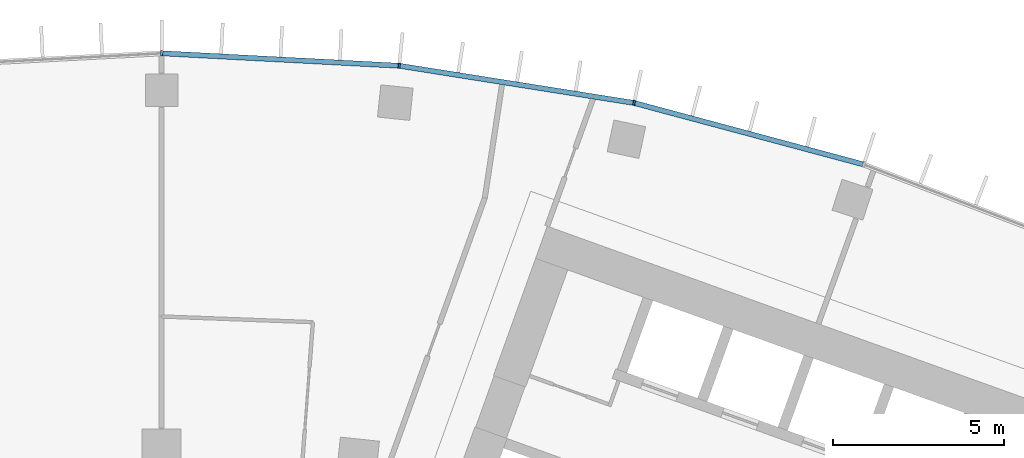
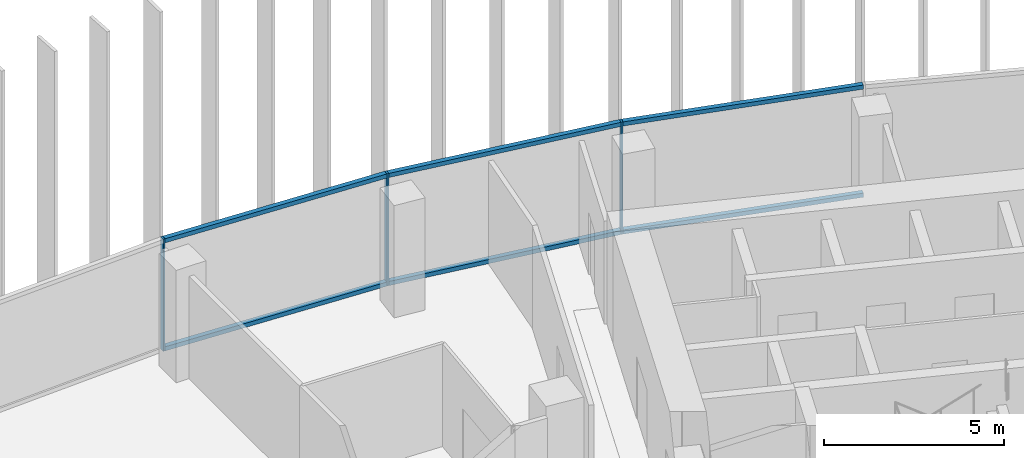
# One storey, part 7 of 19: 9 members, 1 element without a shape of its own.
"""IFC4 building model written with IfcOpenShell, lengths in metres."""

from ifc_helpers import new_model, si_unit, direction, frame, origin, origin_2d, place, context, subcontext, project, spatial, rectangle, extrude, material, layer, layer_set, material_profile, profile_set, type_object, element, aggregate, save


model = new_model("IFC4")

# Units and contexts
model_context = context("Model", 3, precision=1e-05, world=origin(), true_north=direction((0.0, 1.0)))
body_context = subcontext(model_context, "Body", "Model", "MODEL_VIEW")
ifc_project = project(units=[si_unit("LENGTHUNIT", "METRE"), si_unit("AREAUNIT", "SQUARE_METRE"), si_unit("VOLUMEUNIT", "CUBIC_METRE"), si_unit("PLANEANGLEUNIT", "RADIAN"), si_unit("MASSUNIT", "GRAM", prefix="KILO")], contexts=[model_context])

# Site, building, storey
site_placement = place(None, origin())
site = spatial("IfcSite", under=ifc_project, at=site_placement, CompositionType="ELEMENT")
building_placement = place(site_placement, origin())
building = spatial("IfcBuilding", under=site, at=building_placement, Name="Stone Belt Terrace Tower", CompositionType="ELEMENT")
storey_placement = place(building_placement, frame((0.0, 0.0, 223.800048828125)))
storey = spatial("IfcBuildingStorey", under=building, at=storey_placement, Name="L54", CompositionType="ELEMENT", Elevation=223.800048828125)

# Curtain wall, members
ifc_material = material(Name="Aluminium 6063-T6 anodised frame", Category="aluminium")
ifc_layer = layer(ifc_material, 0.14990234375)
ifc_layer_set = layer_set([ifc_layer], Name="CW-A unitised convex-face curtain wall")
curtain_wall_type = type_object("IfcCurtainWallType", Name="CW-A unitised convex-face curtain wall", PredefinedType="NOTDEFINED", material=ifc_layer_set)
curtain_wall_placement = place(storey_placement, origin())
curtain_wall = element("IfcCurtainWall", 1, at=curtain_wall_placement, inside=storey, type_object=curtain_wall_type, Name="CW-A convex face L54", PredefinedType="NOTDEFINED")
ifc_material_profile_1 = material_profile(ifc_material, rectangle(XDim=0.14990234375, YDim=0.06005859375, at=origin_2d()), Name="Aluminium 6063-T6 60x150")
ifc_profile_set_1 = profile_set([ifc_material_profile_1], Name="Aluminium 6063-T6 anodised frame")
member_type_1 = type_object("IfcMemberType", Name="CW-A mullion 60 x 150", PredefinedType="MULLION", material=ifc_profile_set_1)
member_1_placement = place(storey_placement, frame((13.841796875, 65.120361328125, 0.0), z_axis=(0.0, 0.0, 1.0), x_axis=(-0.207911690818, -0.978147600734, 0.0)))
member_1 = element("IfcMember", 2, at=member_1_placement, type_object=member_type_1, Name="CW-A mullion 7", PredefinedType="MULLION", context=body_context, shape_type="SweptSolid", body=[
    extrude(rectangle(XDim=0.14990234375, YDim=0.06005859375, at=origin_2d()), origin(), (0.0, 0.0, 1.0), 3.800048828125),
])
member_2_placement = place(storey_placement, frame((6.958984375, 66.21044921875, 0.0), z_axis=(0.0, 0.0, 1.0), x_axis=(-0.104528463268, -0.994521895368, 0.0)))
member_2 = element("IfcMember", 3, at=member_2_placement, type_object=member_type_1, Name="CW-A mullion 8", PredefinedType="MULLION", context=body_context, shape_type="SweptSolid", body=[
    extrude(rectangle(XDim=0.14990234375, YDim=0.06005859375, at=origin_2d()), origin(), (0.0, 0.0, 1.0), 3.800048828125),
])
member_3_placement = place(storey_placement, frame((0.0, 66.5751953125, 0.0), z_axis=(0.0, 0.0, 1.0), x_axis=(0.0, -1.0, 0.0)))
member_3 = element("IfcMember", 4, at=member_3_placement, type_object=member_type_1, Name="CW-A mullion 9", PredefinedType="MULLION", context=body_context, shape_type="SweptSolid", body=[
    extrude(rectangle(XDim=0.14990234375, YDim=0.06005859375, at=origin_2d()), origin(), (0.0, 0.0, 1.0), 3.800048828125),
])
ifc_material_profile_2 = material_profile(ifc_material, rectangle(XDim=0.14990234375, YDim=0.139892578125, at=origin_2d()), Name="Aluminium 6063-T6 150x140")
ifc_profile_set_2 = profile_set([ifc_material_profile_2], Name="Aluminium 6063-T6 anodised frame")
member_type_2 = type_object("IfcMemberType", Name="CW-A transom 140 x 150", PredefinedType="USERDEFINED", material=ifc_profile_set_2)
member_4_placement = place(storey_placement, frame((20.5400390625, 63.325439453125, 0.070068359375), z_axis=(-0.965921835863, 0.258833937117, 0.0), x_axis=(-0.258833937117, -0.965921835863, 0.0)))
member_4 = element("IfcMember", 5, at=member_4_placement, type_object=member_type_2, Name="CW-A transom 6.1", ObjectType="TRANSOM", PredefinedType="USERDEFINED", context=body_context, shape_type="SweptSolid", body=[
    extrude(rectangle(XDim=0.14990234375, YDim=0.139892578125, at=origin_2d()), origin(), (0.0, 0.0, 1.0), 6.900634765625),
])
member_5_placement = place(storey_placement, frame((20.5400390625, 63.325439453125, 3.72998046875), z_axis=(-0.965921835863, 0.258833937117, 0.0), x_axis=(-0.258833937117, -0.965921835863, 0.0)))
member_5 = element("IfcMember", 6, at=member_5_placement, type_object=member_type_2, Name="CW-A transom 6.2", ObjectType="TRANSOM", PredefinedType="USERDEFINED", context=body_context, shape_type="SweptSolid", body=[
    extrude(rectangle(XDim=0.14990234375, YDim=0.139892578125, at=origin_2d()), origin(), (0.0, 0.0, 1.0), 6.900634765625),
])
member_6_placement = place(storey_placement, frame((13.808349609375, 65.12548828125, 0.070068359375), z_axis=(-0.987687120531, 0.156442168027, 0.0), x_axis=(-0.156442168027, -0.987687120531, 0.0)))
member_6 = element("IfcMember", 7, at=member_6_placement, type_object=member_type_2, Name="CW-A transom 7.1", ObjectType="TRANSOM", PredefinedType="USERDEFINED", context=body_context, shape_type="SweptSolid", body=[
    extrude(rectangle(XDim=0.14990234375, YDim=0.139892578125, at=origin_2d()), origin(), (0.0, 0.0, 1.0), 6.90087890625),
])
member_7_placement = place(storey_placement, frame((13.808349609375, 65.12548828125, 3.72998046875), z_axis=(-0.987687120531, 0.156442168027, 0.0), x_axis=(-0.156442168027, -0.987687120531, 0.0)))
member_7 = element("IfcMember", 8, at=member_7_placement, type_object=member_type_2, Name="CW-A transom 7.2", ObjectType="TRANSOM", PredefinedType="USERDEFINED", context=body_context, shape_type="SweptSolid", body=[
    extrude(rectangle(XDim=0.14990234375, YDim=0.139892578125, at=origin_2d()), origin(), (0.0, 0.0, 1.0), 6.90087890625),
])
member_8_placement = place(storey_placement, frame((6.925048828125, 66.212158203125, 0.070068359375), z_axis=(-0.998630019135, 0.052326712899, 0.0), x_axis=(-0.052326712899, -0.998630019135, 0.0)))
member_8 = element("IfcMember", 9, at=member_8_placement, type_object=member_type_2, Name="CW-A transom 8.1", ObjectType="TRANSOM", PredefinedType="USERDEFINED", context=body_context, shape_type="SweptSolid", body=[
    extrude(rectangle(XDim=0.14990234375, YDim=0.139892578125, at=origin_2d()), origin(), (0.0, 0.0, 1.0), 6.900634765625),
])
member_9_placement = place(storey_placement, frame((6.925048828125, 66.212158203125, 3.72998046875), z_axis=(-0.998630019135, 0.052326712899, 0.0), x_axis=(-0.052326712899, -0.998630019135, 0.0)))
member_9 = element("IfcMember", 10, at=member_9_placement, type_object=member_type_2, Name="CW-A transom 8.2", ObjectType="TRANSOM", PredefinedType="USERDEFINED", context=body_context, shape_type="SweptSolid", body=[
    extrude(rectangle(XDim=0.14990234375, YDim=0.139892578125, at=origin_2d()), origin(), (0.0, 0.0, 1.0), 6.900634765625),
])
aggregate(curtain_wall, [member_1, member_2, member_3, member_4, member_5, member_6, member_7, member_8, member_9])

save(model, "model.ifc")
